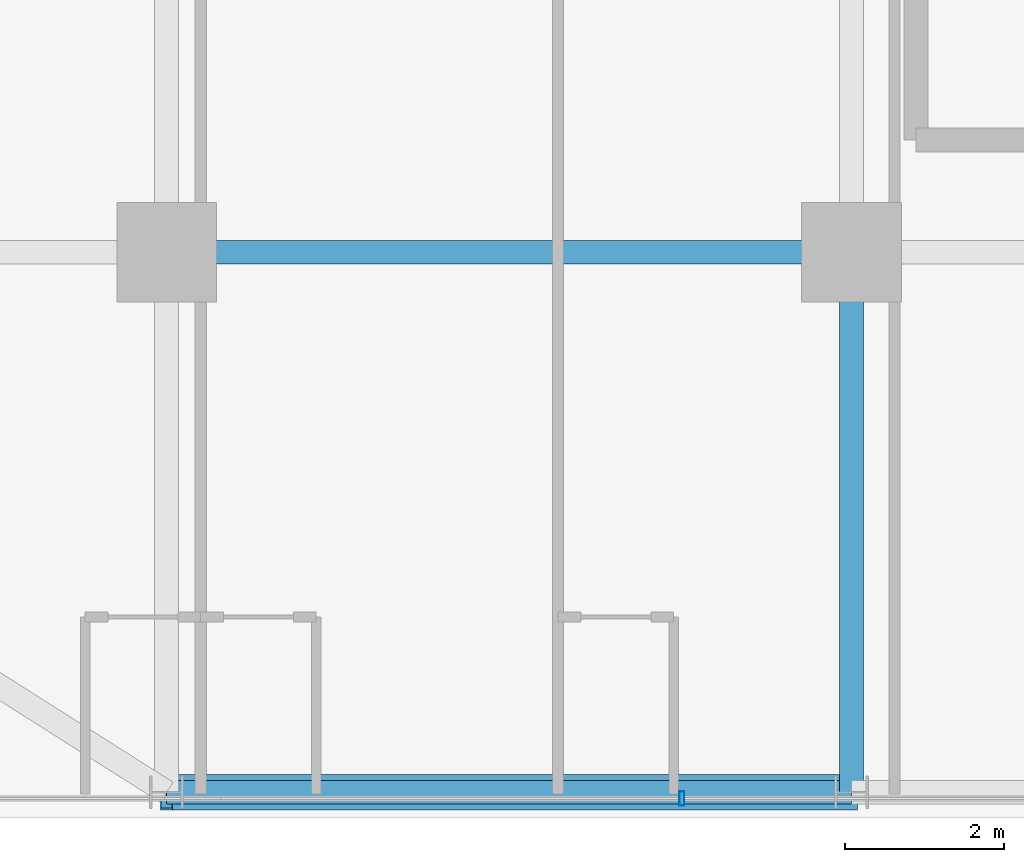
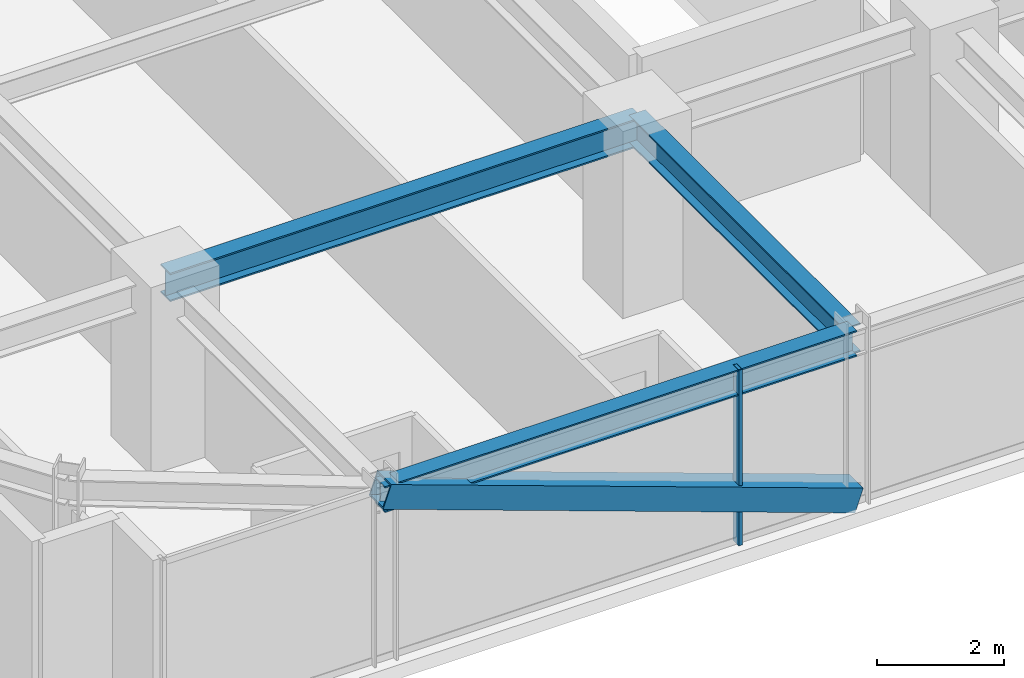
# One storey, part 3 of 34: 3 beams, 2 members, 1 element without a shape of its own.
"""IFC4 building model written with IfcOpenShell, lengths in metres."""

from ifc_helpers import new_model, si_unit, direction, frame, origin, origin_2d, place, context, subcontext, project, spatial, hollow_rectangle, i_section, extrude, source, transform, mapped, material, material_profile, profile_set, type_object, element, aggregate, save


model = new_model("IFC4")

# Units and contexts
model_context = context("Model", 3, precision=1e-05, world=origin(), true_north=direction((0.0, 1.0)))
body_context = subcontext(model_context, "Body", "Model", "MODEL_VIEW")
ifc_project = project(units=[si_unit("LENGTHUNIT", "METRE"), si_unit("AREAUNIT", "SQUARE_METRE"), si_unit("VOLUMEUNIT", "CUBIC_METRE"), si_unit("PLANEANGLEUNIT", "RADIAN"), si_unit("MASSUNIT", "GRAM", prefix="KILO")], contexts=[model_context])

# Site, building, storey
site_placement = place(None, origin())
site = spatial("IfcSite", under=ifc_project, at=site_placement, CompositionType="ELEMENT")
building_placement = place(site_placement, origin())
building = spatial("IfcBuilding", under=site, at=building_placement, Name="Nahalor Promenade Grand Hotel", CompositionType="ELEMENT")
storey_placement = place(building_placement, frame((0.0, 0.0, 128.449951171875)))
storey = spatial("IfcBuildingStorey", under=building, at=storey_placement, Name="L32", CompositionType="ELEMENT", Elevation=128.449951171875)

# Beams
ifc_material_1 = material(Name="Steel S355JR", Category="steel")
ifc_material_profile_1 = material_profile(ifc_material_1, i_section(OverallWidth=0.3, OverallDepth=0.5, WebThickness=0.0145, FlangeThickness=0.028, at=origin_2d()), Name="HEB 500")
ifc_profile_set_1 = profile_set([ifc_material_profile_1], Name="Steel S355JR")
beam_type_1 = type_object("IfcBeamType", Name="Beam-Spandrel-HEB500", PredefinedType="SPANDREL", material=ifc_profile_set_1)
shared_shape_1 = source(origin(), body_context, "Body", "SweptSolid", [
    extrude(i_section(OverallWidth=0.3, OverallDepth=0.5, WebThickness=0.0145, FlangeThickness=0.028, at=origin_2d()), origin(), (0.0, 0.0, 1.0), 8.60009765625),
])
beam_1_placement = place(storey_placement, frame((-17.0, -23.780029296875, 3.130126953125), z_axis=(1.0, 0.0, 0.0), x_axis=(0.0, 1.0, 0.0)))
element("IfcBeam", 1, at=beam_1_placement, inside=storey, type_object=beam_type_1, Name="BM-L32-SP-S-0", PredefinedType="SPANDREL", context=body_context, shape_type="MappedRepresentation", body=[
    mapped(shared_shape_1, transform((0.0, 0.0, 0.0), scale=1.0)),
])
ifc_material_profile_2 = material_profile(ifc_material_1, i_section(OverallWidth=0.3, OverallDepth=0.55, WebThickness=0.015, FlangeThickness=0.029, at=origin_2d()), Name="HEB 550")
ifc_profile_set_2 = profile_set([ifc_material_profile_2], Name="Steel S355JR")
beam_type_2 = type_object("IfcBeamType", Name="Beam-Girder-HEB550", PredefinedType="BEAM", material=ifc_profile_set_2)
shared_shape_2 = source(origin(), body_context, "Body", "SweptSolid", [
    extrude(i_section(OverallWidth=0.3, OverallDepth=0.55, WebThickness=0.015, FlangeThickness=0.029, at=origin_2d()), origin(), (0.0, 0.0, 1.0), 6.780029296875),
])
beam_2_placement = place(storey_placement, frame((-8.39990234375, -23.780029296875, 3.10498046875), z_axis=(0.0, 1.0, 0.0), x_axis=(-1.0, 0.0, 0.0)))
element("IfcBeam", 2, at=beam_2_placement, inside=storey, type_object=beam_type_2, Name="BM-L32-GY-1-0", PredefinedType="BEAM", context=body_context, shape_type="MappedRepresentation", body=[
    mapped(shared_shape_2, transform((0.0, 0.0, 0.0), scale=1.0)),
])
shared_shape_3 = source(origin(), body_context, "Body", "SweptSolid", [
    extrude(i_section(OverallWidth=0.3, OverallDepth=0.55, WebThickness=0.015, FlangeThickness=0.029, at=origin_2d()), origin(), (0.0, 0.0, 1.0), 8.60009765625),
])
beam_3_placement = place(storey_placement, frame((-17.0, -17.0, 3.10498046875), z_axis=(1.0, 0.0, 0.0), x_axis=(0.0, 1.0, 0.0)))
element("IfcBeam", 3, at=beam_3_placement, inside=storey, type_object=beam_type_2, Name="BM-L32-GX-0-1", PredefinedType="BEAM", context=body_context, shape_type="MappedRepresentation", body=[
    mapped(shared_shape_3, transform((0.0, 0.0, 0.0), scale=1.0)),
])

# Member
ifc_material_2 = material(Name="Steel S355J2", Category="steel")
ifc_material_profile_3 = material_profile(ifc_material_2, hollow_rectangle(XDim=0.45, YDim=0.45, WallThickness=0.025, at=origin_2d()), Name="SHS 450x450x25")
ifc_profile_set_3 = profile_set([ifc_material_profile_3], Name="Steel S355J2")
member_type_1 = type_object("IfcMemberType", Name="Mem-ExoBrace-SHS450", PredefinedType="BRACE", material=ifc_profile_set_3)
shared_shape_4 = source(origin(), body_context, "Body", "SweptSolid", [
    extrude(hollow_rectangle(XDim=0.45, YDim=0.45, WallThickness=0.025, at=origin_2d()), origin(), (0.0, 0.0, 1.0), 9.135009765625),
])
member_1_placement = place(storey_placement, frame((-8.39990234375, -23.780029296875, 0.150146484375), z_axis=(-0.941451323466, 0.0, 0.337148936738), x_axis=(0.0, -1.0, 0.0)))
element("IfcMember", 4, at=member_1_placement, inside=storey, type_object=member_type_1, Name="EXO-L32-S-0", PredefinedType="BRACE", context=body_context, shape_type="MappedRepresentation", body=[
    mapped(shared_shape_4, transform((0.0, 0.0, 0.0), scale=1.0)),
])

# Curtain wall, member
ifc_material_3 = material(Name="Anodised Bronze Aluminium EN AW-6063 T6", Category="aluminium")
curtain_wall_type = type_object("IfcCurtainWallType", Name="CW2 Typical Hotel Flush Bronze Unitised Curtain Wall", PredefinedType="USERDEFINED", material=ifc_material_3)
curtain_wall_placement = place(storey_placement, origin())
curtain_wall = element("IfcCurtainWall", 5, at=curtain_wall_placement, inside=storey, type_object=curtain_wall_type, Name="L32 Curtain Wall CW-L32-S-1", ObjectType="UNITISED_CURTAIN_WALL", PredefinedType="USERDEFINED")
ifc_material_profile_4 = material_profile(ifc_material_3, hollow_rectangle(XDim=0.065, YDim=0.18, WallThickness=0.004, at=origin_2d()), Name="CWM 65x180x4")
ifc_profile_set_4 = profile_set([ifc_material_profile_4], Name="Anodised Bronze Aluminium EN AW-6063 T6")
member_type_2 = type_object("IfcMemberType", Name="CWM2 Typical Bronze Mullion 65x180", PredefinedType="MULLION", material=ifc_profile_set_4)
shared_shape_5 = source(origin(), body_context, "Body", "SweptSolid", [
    extrude(hollow_rectangle(XDim=0.065, YDim=0.18, WallThickness=0.004, at=origin_2d()), origin(), (0.0, 0.0, 1.0), 3.380126953125),
])
member_2_placement = place(storey_placement, frame((-10.530029296875, -23.860107421875, 0.0), z_axis=(0.0, 0.0, 1.0), x_axis=(1.0, 0.0, 0.0)))
member_2 = element("IfcMember", 6, at=member_2_placement, type_object=member_type_2, Name="CW-L32-S-1 Mullion 1", PredefinedType="MULLION", context=body_context, shape_type="MappedRepresentation", body=[
    mapped(shared_shape_5, transform((0.0, 0.0, 0.0), scale=1.0)),
])
aggregate(curtain_wall, [member_2])

save(model, "model.ifc")
